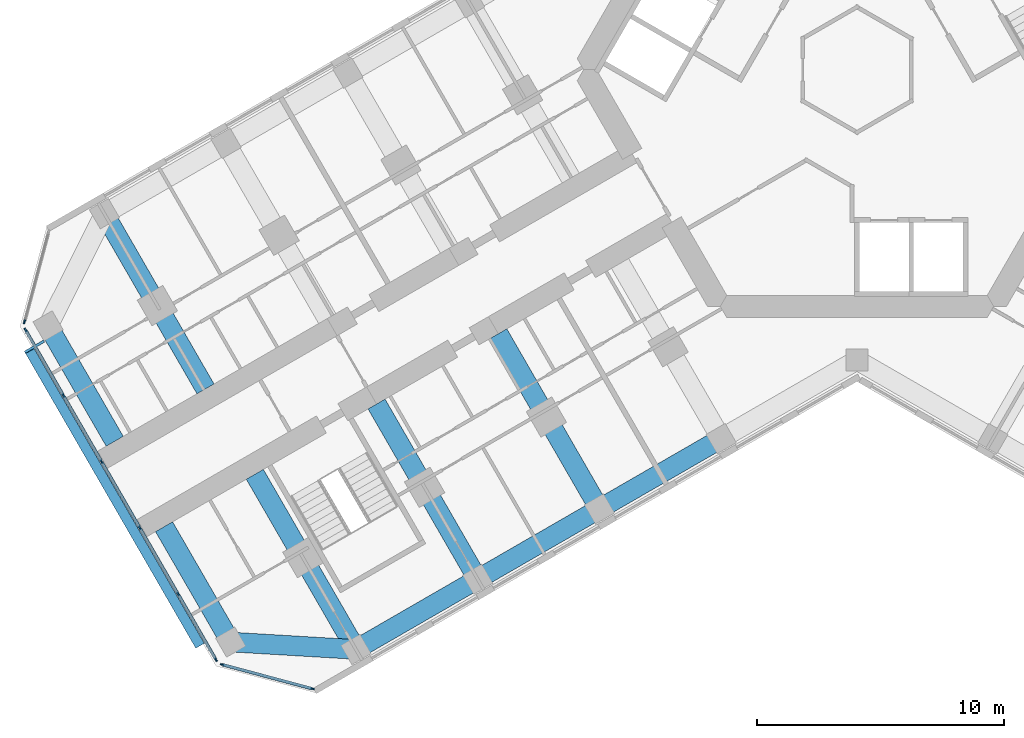
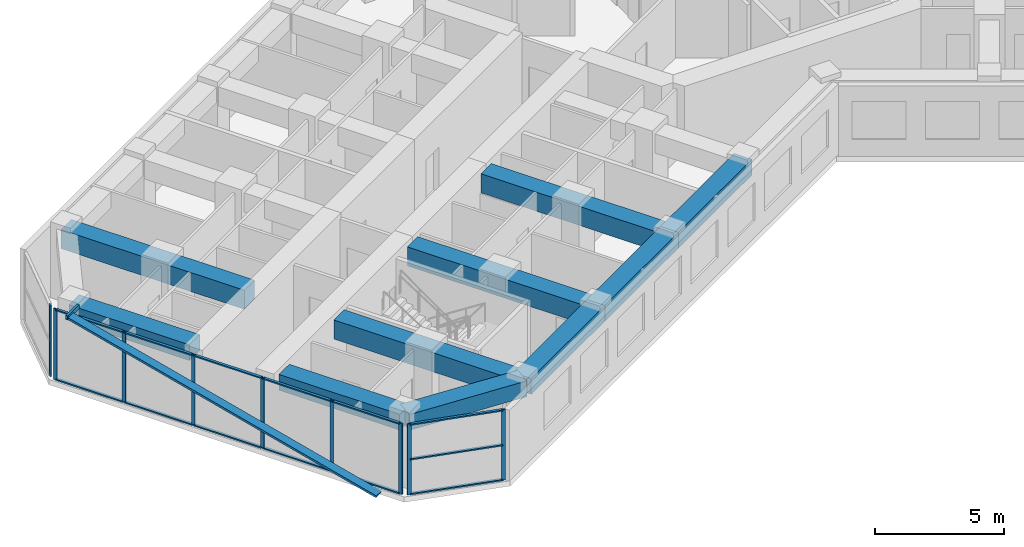
# One storey, part 2 of 20: 24 members, 10 beams, 3 elements without a shape of their own.
"""IFC4 building model written with IfcOpenShell, lengths in metres."""

from ifc_helpers import new_model, si_unit, direction, frame, origin, origin_2d, place, context, subcontext, project, spatial, rectangle, hollow_rectangle, extrude, material, material_profile, profile_set, type_object, element, aggregate, save


model = new_model("IFC4")

# Units and contexts
model_context = context("Model", 3, precision=1e-05, world=origin(), true_north=direction((0.0, 1.0)))
body_context = subcontext(model_context, "Body", "Model", "MODEL_VIEW")
ifc_project = project(units=[si_unit("LENGTHUNIT", "METRE"), si_unit("AREAUNIT", "SQUARE_METRE"), si_unit("VOLUMEUNIT", "CUBIC_METRE"), si_unit("PLANEANGLEUNIT", "RADIAN"), si_unit("MASSUNIT", "GRAM", prefix="KILO")], contexts=[model_context])

# Site, building, storey
site_placement = place(None, origin())
site = spatial("IfcSite", under=ifc_project, at=site_placement, CompositionType="ELEMENT")
building_placement = place(site_placement, origin())
building = spatial("IfcBuilding", under=site, at=building_placement, Name="Kosmar Iwan School Tower", CompositionType="ELEMENT")
storey_placement = place(building_placement, frame((0.0, 0.0, 179.60009765625)))
storey = spatial("IfcBuildingStorey", under=building, at=storey_placement, Name="L45", CompositionType="ELEMENT", Elevation=179.60009765625)

# Members
ifc_material_1 = material(Name="Black anodised aluminium", Category="aluminium")
ifc_material_profile_1 = material_profile(ifc_material_1, rectangle(XDim=0.10009765625, YDim=0.39990234375, at=origin_2d()), Name="FIN 100x400")
ifc_profile_set_1 = profile_set([ifc_material_profile_1], Name="Black anodised aluminium")
member_type_1 = type_object("IfcMemberType", Name="Diagonal fin 100x400", PredefinedType="USERDEFINED", material=ifc_profile_set_1)
member_1_placement = place(storey_placement, frame((-26.645263671875, -23.34912109375, -0.150146484375), z_axis=(-0.483793446988, 0.837970316603, 0.25248692866), x_axis=(0.126241714543, -0.218661104574, 0.96760030532)))
element("IfcMember", 1, at=member_1_placement, inside=storey, type_object=member_type_1, Name="Diagonal fin L45-F13", ObjectType="FIN", PredefinedType="USERDEFINED", context=body_context, shape_type="SweptSolid", body=[
    extrude(rectangle(XDim=0.10009765625, YDim=0.39990234375, at=origin_2d()), origin(), (0.0, 0.0, 1.0), 14.258544921875),
])
ifc_material_2 = material(Name="Steel S355", Category="steel")
ifc_material_profile_2 = material_profile(ifc_material_2, hollow_rectangle(XDim=0.10009765625, YDim=0.199951171875, WallThickness=0.008056640625, at=origin_2d()), Name="RHS 200x100x8")
ifc_profile_set_2 = profile_set([ifc_material_profile_2], Name="Steel S355")
member_type_2 = type_object("IfcMemberType", Name="Fin bracket RHS 200x100", PredefinedType="USERDEFINED", material=ifc_profile_set_2)
member_2_placement = place(storey_placement, frame((-32.963134765625, -11.006103515625, 3.474853515625), z_axis=(-0.866081705922, -0.499902469156, 0.0), x_axis=(0.499902469156, -0.866081705922, 0.0)))
element("IfcMember", 2, at=member_2_placement, inside=storey, type_object=member_type_2, Name="Fin bracket L46", ObjectType="FIN BRACKET", PredefinedType="USERDEFINED", context=body_context, shape_type="SweptSolid", body=[
    extrude(hollow_rectangle(XDim=0.10009765625, YDim=0.199951171875, WallThickness=0.008056640625, at=origin_2d()), origin(), (0.0, 0.0, 1.0), 0.900146484375),
])

# Curtain wall, member
ifc_material_3 = material(Name="Dark glass in black aluminium frame", Category="aluminium")
curtain_wall_type_1 = type_object("IfcCurtainWallType", Name="Chamfer curtain wall dark glass", PredefinedType="USERDEFINED", material=ifc_material_3)
curtain_wall_1_placement = place(storey_placement, origin())
curtain_wall_1 = element("IfcCurtainWall", 3, at=curtain_wall_1_placement, inside=storey, type_object=curtain_wall_type_1, Name="Curtain wall L45-F12", ObjectType="FACETED CURTAIN WALL", PredefinedType="USERDEFINED")
ifc_material_4 = material(Name="Black anodised aluminium", Category="aluminium")
ifc_material_profile_3 = material_profile(ifc_material_4, rectangle(XDim=0.06005859375, YDim=0.159912109375, at=origin_2d()), Name="MULLION 60x160")
ifc_profile_set_3 = profile_set([ifc_material_profile_3], Name="Black anodised aluminium")
member_type_3 = type_object("IfcMemberType", Name="Mullion 60x160", PredefinedType="MULLION", material=ifc_profile_set_3)
member_3_placement = place(storey_placement, frame((-33.7587890625, -10.2236328125, 0.0), z_axis=(0.0, 0.0, 1.0), x_axis=(0.965925875495, -0.258818861462, 0.0)))
member_3 = element("IfcMember", 4, at=member_3_placement, type_object=member_type_3, Name="CW2 mullion 2", PredefinedType="MULLION", context=body_context, shape_type="SweptSolid", body=[
    extrude(rectangle(XDim=0.06005859375, YDim=0.159912109375, at=origin_2d()), origin(), (0.0, 0.0, 1.0), 3.349853515625),
])
aggregate(curtain_wall_1, [member_3])

# Curtain wall, members
ifc_material_5 = material(Name="Dark glass in black aluminium frame", Category="aluminium")
curtain_wall_type_2 = type_object("IfcCurtainWallType", Name="Tower curtain wall dark glass", PredefinedType="USERDEFINED", material=ifc_material_5)
curtain_wall_2_placement = place(storey_placement, origin())
curtain_wall_2 = element("IfcCurtainWall", 5, at=curtain_wall_2_placement, inside=storey, type_object=curtain_wall_type_2, Name="Curtain wall L45-F13", ObjectType="UNITISED CURTAIN WALL", PredefinedType="USERDEFINED")
member_4_placement = place(storey_placement, frame((-33.71533203125, -10.55322265625, 0.0), z_axis=(0.0, 0.0, 1.0), x_axis=(0.866025405329, 0.499999997325, 0.0)))
member_4 = element("IfcMember", 6, at=member_4_placement, type_object=member_type_3, Name="CW1 mullion 1", PredefinedType="MULLION", context=body_context, shape_type="SweptSolid", body=[
    extrude(rectangle(XDim=0.06005859375, YDim=0.159912109375, at=origin_2d()), origin(), (0.0, 0.0, 1.0), 3.349853515625),
])
member_5_placement = place(storey_placement, frame((-32.1806640625, -13.21142578125, 0.0), z_axis=(0.0, 0.0, 1.0), x_axis=(0.866025405329, 0.499999997325, 0.0)))
member_5 = element("IfcMember", 7, at=member_5_placement, type_object=member_type_3, Name="CW1 mullion 2", PredefinedType="MULLION", context=body_context, shape_type="SweptSolid", body=[
    extrude(rectangle(XDim=0.06005859375, YDim=0.159912109375, at=origin_2d()), origin(), (0.0, 0.0, 1.0), 3.349853515625),
])
member_6_placement = place(storey_placement, frame((-30.631103515625, -15.8955078125, 0.0), z_axis=(0.0, 0.0, 1.0), x_axis=(0.866025405329, 0.499999997325, 0.0)))
member_6 = element("IfcMember", 8, at=member_6_placement, type_object=member_type_3, Name="CW1 mullion 3", PredefinedType="MULLION", context=body_context, shape_type="SweptSolid", body=[
    extrude(rectangle(XDim=0.06005859375, YDim=0.159912109375, at=origin_2d()), origin(), (0.0, 0.0, 1.0), 3.349853515625),
])
member_7_placement = place(storey_placement, frame((-29.081298828125, -18.57958984375, 0.0), z_axis=(0.0, 0.0, 1.0), x_axis=(0.866025405329, 0.499999997325, 0.0)))
member_7 = element("IfcMember", 9, at=member_7_placement, type_object=member_type_3, Name="CW1 mullion 4", PredefinedType="MULLION", context=body_context, shape_type="SweptSolid", body=[
    extrude(rectangle(XDim=0.06005859375, YDim=0.159912109375, at=origin_2d()), origin(), (0.0, 0.0, 1.0), 3.349853515625),
])
member_8_placement = place(storey_placement, frame((-27.53173828125, -21.263671875, 0.0), z_axis=(0.0, 0.0, 1.0), x_axis=(0.866025405329, 0.499999997325, 0.0)))
member_8 = element("IfcMember", 10, at=member_8_placement, type_object=member_type_3, Name="CW1 mullion 5", PredefinedType="MULLION", context=body_context, shape_type="SweptSolid", body=[
    extrude(rectangle(XDim=0.06005859375, YDim=0.159912109375, at=origin_2d()), origin(), (0.0, 0.0, 1.0), 3.349853515625),
])
member_9_placement = place(storey_placement, frame((-25.9970703125, -23.921630859375, 0.0), z_axis=(0.0, 0.0, 1.0), x_axis=(0.866025405329, 0.499999997325, 0.0)))
member_9 = element("IfcMember", 11, at=member_9_placement, type_object=member_type_3, Name="CW1 mullion 6", PredefinedType="MULLION", context=body_context, shape_type="SweptSolid", body=[
    extrude(rectangle(XDim=0.06005859375, YDim=0.159912109375, at=origin_2d()), origin(), (0.0, 0.0, 1.0), 3.349853515625),
])

curtain_wall_3_placement = place(storey_placement, origin())
curtain_wall_3 = element("IfcCurtainWall", 12, at=curtain_wall_3_placement, inside=storey, type_object=curtain_wall_type_1, Name="Curtain wall L45-F14", ObjectType="FACETED CURTAIN WALL", PredefinedType="USERDEFINED")
member_10_placement = place(storey_placement, frame((-25.733154296875, -24.124267578125, 0.0), z_axis=(0.0, 0.0, 1.0), x_axis=(0.258818861462, 0.965925875495, 0.0)))
member_10 = element("IfcMember", 13, at=member_10_placement, type_object=member_type_3, Name="CW2 mullion 1", PredefinedType="MULLION", context=body_context, shape_type="SweptSolid", body=[
    extrude(rectangle(XDim=0.06005859375, YDim=0.159912109375, at=origin_2d()), origin(), (0.0, 0.0, 1.0), 3.349853515625),
])
member_11_placement = place(storey_placement, frame((-22.0830078125, -25.102294921875, 0.0), z_axis=(0.0, 0.0, 1.0), x_axis=(0.258818861462, 0.965925875495, 0.0)))
member_11 = element("IfcMember", 14, at=member_11_placement, type_object=member_type_3, Name="CW2 mullion 2", PredefinedType="MULLION", context=body_context, shape_type="SweptSolid", body=[
    extrude(rectangle(XDim=0.06005859375, YDim=0.159912109375, at=origin_2d()), origin(), (0.0, 0.0, 1.0), 3.349853515625),
])

# Beams
ifc_material_6 = material(Name="Concrete C50/60", Category="concrete")
ifc_material_profile_4 = material_profile(ifc_material_6, rectangle(XDim=0.800048828125, YDim=0.75, at=origin_2d()), Name="RC 800x750")
ifc_profile_set_4 = profile_set([ifc_material_profile_4], Name="Concrete C50/60")
beam_type_1 = type_object("IfcBeamType", Name="RC edge beam 800x750", PredefinedType="BEAM", material=ifc_profile_set_4)
beam_1_placement = place(storey_placement, frame((-5.5087890625, -14.95849609375, 2.974853515625), z_axis=(-0.866033658841, -0.49998570155, 0.0), x_axis=(0.49998570155, -0.866033658841, 0.0)))
element("IfcBeam", 15, at=beam_1_placement, inside=storey, type_object=beam_type_1, Name="Edge beam BL2", PredefinedType="BEAM", context=body_context, shape_type="SweptSolid", body=[
    extrude(rectangle(XDim=0.800048828125, YDim=0.75, at=origin_2d()), origin(), (0.0, 0.0, 1.0), 5.699951171875),
])
beam_2_placement = place(storey_placement, frame((-10.445068359375, -17.808349609375, 2.974853515625), z_axis=(-0.866025820012, -0.499999279071, 0.0), x_axis=(0.499999279071, -0.866025820012, 0.0)))
element("IfcBeam", 16, at=beam_2_placement, inside=storey, type_object=beam_type_1, Name="Edge beam BL3", PredefinedType="BEAM", context=body_context, shape_type="SweptSolid", body=[
    extrude(rectangle(XDim=0.800048828125, YDim=0.75, at=origin_2d()), origin(), (0.0, 0.0, 1.0), 5.7001953125),
])
beam_3_placement = place(storey_placement, frame((-15.381591796875, -20.658447265625, 2.974853515625), z_axis=(-0.866015111908, -0.50001782563, 0.0), x_axis=(0.50001782563, -0.866015111908, 0.0)))
element("IfcBeam", 17, at=beam_3_placement, inside=storey, type_object=beam_type_1, Name="Edge beam BL4", PredefinedType="BEAM", context=body_context, shape_type="SweptSolid", body=[
    extrude(rectangle(XDim=0.800048828125, YDim=0.75, at=origin_2d()), origin(), (0.0, 0.0, 1.0), 5.699951171875),
])
ifc_material_7 = material(Name="Concrete C50/60", Category="concrete")
ifc_material_profile_5 = material_profile(ifc_material_7, rectangle(XDim=0.800048828125, YDim=0.75, at=origin_2d()), Name="RC 800x750")
ifc_profile_set_5 = profile_set([ifc_material_profile_5], Name="Concrete C50/60")
beam_type_2 = type_object("IfcBeamType", Name="RC tip beam 800x750", PredefinedType="BEAM", material=ifc_profile_set_5)
beam_4_placement = place(storey_placement, frame((-20.31787109375, -23.508544921875, 2.974853515625), z_axis=(-0.998260616478, 0.058955420358, 0.0), x_axis=(-0.058955420358, -0.998260616478, 0.0)))
element("IfcBeam", 18, at=beam_4_placement, inside=storey, type_object=beam_type_2, Name="Tip beam BL", PredefinedType="BEAM", context=body_context, shape_type="SweptSolid", body=[
    extrude(rectangle(XDim=0.800048828125, YDim=0.75, at=origin_2d()), origin(), (0.0, 0.0, 1.0), 5.08935546875),
])
for number, where, z_axis, x_axis, name in (
    (19, (-25.3984375, -23.20849609375, 2.974853515625), (-0.499995103361, 0.866028230842, 0.0), (-0.866028230842, -0.499995103361, 0.0), "Tip beam BL to corridor wall"),
    (20, (-32.79833984375, -10.391357421875, 2.974853515625), (0.499995103361, -0.866028230842, 0.0), (0.866028230842, 0.499995103361, 0.0), "Tip beam BR to corridor wall"),
):
    element("IfcBeam", number, at=place(storey_placement, frame(where, z_axis=z_axis, x_axis=x_axis)), inside=storey, type_object=beam_type_2, Name=name, PredefinedType="BEAM", context=body_context, shape_type="SweptSolid", body=[
        extrude(rectangle(XDim=0.800048828125, YDim=0.75, at=origin_2d()), origin(), (0.0, 0.0, 1.0), 5.39990234375),
    ])
ifc_material_8 = material(Name="Concrete C50/60", Category="concrete")
ifc_material_profile_6 = material_profile(ifc_material_8, rectangle(XDim=0.800048828125, YDim=0.89990234375, at=origin_2d()), Name="RC 800x900")
ifc_profile_set_6 = profile_set([ifc_material_profile_6], Name="Concrete C50/60")
beam_type_3 = type_object("IfcBeamType", Name="RC transverse beam 800x900", PredefinedType="BEAM", material=ifc_profile_set_6)
for number, where, z_axis, x_axis, name in (
    (21, (-10.445068359375, -17.808349609375, 2.89990234375), (-0.500013681986, 0.866017504342, 0.0), (-0.866017504342, -0.500013681986, 0.0), "Transverse beam BL2"),
    (22, (-15.381591796875, -20.658447265625, 2.89990234375), (-0.49999135188, 0.866030396721, 0.0), (-0.866030396721, -0.49999135188, 0.0), "Transverse beam BL3"),
    (23, (-20.31787109375, -23.508544921875, 2.89990234375), (-0.499978459874, 0.866037839625, 0.0), (-0.866037839625, -0.499978459874, 0.0), "Transverse beam BL4"),
    (24, (-30.517822265625, -5.841552734375, 2.89990234375), (0.500013681986, -0.866017504342, 0.0), (0.866017504342, 0.500013681986, 0.0), "Transverse beam BR4"),
):
    element("IfcBeam", number, at=place(storey_placement, frame(where, z_axis=z_axis, x_axis=x_axis)), inside=storey, type_object=beam_type_3, Name=name, PredefinedType="BEAM", context=body_context, shape_type="SweptSolid", body=[
        extrude(rectangle(XDim=0.800048828125, YDim=0.89990234375, at=origin_2d()), origin(), (0.0, 0.0, 1.0), 8.199951171875),
    ])

# Member
ifc_material_9 = material(Name="Black anodised aluminium", Category="aluminium")
ifc_material_profile_7 = material_profile(ifc_material_9, rectangle(XDim=0.1201171875, YDim=0.06005859375, at=origin_2d()), Name="TRANSOM 60x120")
ifc_profile_set_7 = profile_set([ifc_material_profile_7], Name="Black anodised aluminium")
member_type_4 = type_object("IfcMemberType", Name="Transom 60x120", PredefinedType="USERDEFINED", material=ifc_profile_set_7)
member_12_placement = place(storey_placement, frame((-33.700439453125, -10.579345703125, 0.02978515625), z_axis=(0.500022102064, -0.866012642776, 0.0), x_axis=(0.866012642776, 0.500022102064, 0.0)))
member_12 = element("IfcMember", 25, at=member_12_placement, type_object=member_type_4, Name="CW1 transom 1.1", ObjectType="TRANSOM", PredefinedType="USERDEFINED", context=body_context, shape_type="SweptSolid", body=[
    extrude(rectangle(XDim=0.1201171875, YDim=0.06005859375, at=origin_2d()), origin(), (0.0, 0.0, 1.0), 3.009033203125),
])

member_13_placement = place(storey_placement, frame((-33.700439453125, -10.579345703125, 3.31982421875), z_axis=(0.500022102064, -0.866012642776, 0.0), x_axis=(0.866012642776, 0.500022102064, 0.0)))
member_13 = element("IfcMember", 26, at=member_13_placement, type_object=member_type_4, Name="CW1 transom 1.2", ObjectType="TRANSOM", PredefinedType="USERDEFINED", context=body_context, shape_type="SweptSolid", body=[
    extrude(rectangle(XDim=0.1201171875, YDim=0.06005859375, at=origin_2d()), origin(), (0.0, 0.0, 1.0), 3.009033203125),
])

member_14_placement = place(storey_placement, frame((-32.165771484375, -13.2373046875, 0.02978515625), z_axis=(0.500035348339, -0.866004994449, 0.0), x_axis=(0.866004994449, 0.500035348339, 0.0)))
member_14 = element("IfcMember", 27, at=member_14_placement, type_object=member_type_4, Name="CW1 transom 2.1", ObjectType="TRANSOM", PredefinedType="USERDEFINED", context=body_context, shape_type="SweptSolid", body=[
    extrude(rectangle(XDim=0.1201171875, YDim=0.06005859375, at=origin_2d()), origin(), (0.0, 0.0, 1.0), 3.039306640625),
])

member_15_placement = place(storey_placement, frame((-32.165771484375, -13.2373046875, 3.31982421875), z_axis=(0.500035348339, -0.866004994449, 0.0), x_axis=(0.866004994449, 0.500035348339, 0.0)))
member_15 = element("IfcMember", 28, at=member_15_placement, type_object=member_type_4, Name="CW1 transom 2.2", ObjectType="TRANSOM", PredefinedType="USERDEFINED", context=body_context, shape_type="SweptSolid", body=[
    extrude(rectangle(XDim=0.1201171875, YDim=0.06005859375, at=origin_2d()), origin(), (0.0, 0.0, 1.0), 3.039306640625),
])

member_16_placement = place(storey_placement, frame((-30.615966796875, -15.92138671875, 0.02978515625), z_axis=(0.499975102327, -0.866039777986, 0.0), x_axis=(0.866039777986, 0.499975102327, 0.0)))
member_16 = element("IfcMember", 29, at=member_16_placement, type_object=member_type_4, Name="CW1 transom 3.1", ObjectType="TRANSOM", PredefinedType="USERDEFINED", context=body_context, shape_type="SweptSolid", body=[
    extrude(rectangle(XDim=0.1201171875, YDim=0.06005859375, at=origin_2d()), origin(), (0.0, 0.0, 1.0), 3.039306640625),
])

member_17_placement = place(storey_placement, frame((-30.615966796875, -15.92138671875, 3.31982421875), z_axis=(0.499975102327, -0.866039777986, 0.0), x_axis=(0.866039777986, 0.499975102327, 0.0)))
member_17 = element("IfcMember", 30, at=member_17_placement, type_object=member_type_4, Name="CW1 transom 3.2", ObjectType="TRANSOM", PredefinedType="USERDEFINED", context=body_context, shape_type="SweptSolid", body=[
    extrude(rectangle(XDim=0.1201171875, YDim=0.06005859375, at=origin_2d()), origin(), (0.0, 0.0, 1.0), 3.039306640625),
])

member_18_placement = place(storey_placement, frame((-29.06640625, -18.60546875, 0.02978515625), z_axis=(0.499975102327, -0.866039777986, 0.0), x_axis=(0.866039777986, 0.499975102327, 0.0)))
member_18 = element("IfcMember", 31, at=member_18_placement, type_object=member_type_4, Name="CW1 transom 4.1", ObjectType="TRANSOM", PredefinedType="USERDEFINED", context=body_context, shape_type="SweptSolid", body=[
    extrude(rectangle(XDim=0.1201171875, YDim=0.06005859375, at=origin_2d()), origin(), (0.0, 0.0, 1.0), 3.039306640625),
])

member_19_placement = place(storey_placement, frame((-29.06640625, -18.60546875, 3.31982421875), z_axis=(0.499975102327, -0.866039777986, 0.0), x_axis=(0.866039777986, 0.499975102327, 0.0)))
member_19 = element("IfcMember", 32, at=member_19_placement, type_object=member_type_4, Name="CW1 transom 4.2", ObjectType="TRANSOM", PredefinedType="USERDEFINED", context=body_context, shape_type="SweptSolid", body=[
    extrude(rectangle(XDim=0.1201171875, YDim=0.06005859375, at=origin_2d()), origin(), (0.0, 0.0, 1.0), 3.039306640625),
])

member_20_placement = place(storey_placement, frame((-27.516845703125, -21.28955078125, 0.02978515625), z_axis=(0.499986971506, -0.866032925658, 0.0), x_axis=(0.866032925658, 0.499986971506, 0.0)))
member_20 = element("IfcMember", 33, at=member_20_placement, type_object=member_type_4, Name="CW1 transom 5.1", ObjectType="TRANSOM", PredefinedType="USERDEFINED", context=body_context, shape_type="SweptSolid", body=[
    extrude(rectangle(XDim=0.1201171875, YDim=0.06005859375, at=origin_2d()), origin(), (0.0, 0.0, 1.0), 3.00927734375),
])

member_21_placement = place(storey_placement, frame((-27.516845703125, -21.28955078125, 3.31982421875), z_axis=(0.499986971506, -0.866032925658, 0.0), x_axis=(0.866032925658, 0.499986971506, 0.0)))
member_21 = element("IfcMember", 34, at=member_21_placement, type_object=member_type_4, Name="CW1 transom 5.2", ObjectType="TRANSOM", PredefinedType="USERDEFINED", context=body_context, shape_type="SweptSolid", body=[
    extrude(rectangle(XDim=0.1201171875, YDim=0.06005859375, at=origin_2d()), origin(), (0.0, 0.0, 1.0), 3.00927734375),
])

aggregate(curtain_wall_2, [member_4, member_5, member_6, member_7, member_8, member_9, member_12, member_13, member_14, member_15, member_16, member_17, member_18, member_19, member_20, member_21])

member_22_placement = place(storey_placement, frame((-25.704345703125, -24.1318359375, 0.02978515625), z_axis=(0.965923731726, -0.258826861991, 0.0), x_axis=(0.258826861991, 0.965923731726, 0.0)))
member_22 = element("IfcMember", 35, at=member_22_placement, type_object=member_type_4, Name="CW2 transom 1.1", ObjectType="TRANSOM", PredefinedType="USERDEFINED", context=body_context, shape_type="SweptSolid", body=[
    extrude(rectangle(XDim=0.1201171875, YDim=0.06005859375, at=origin_2d()), origin(), (0.0, 0.0, 1.0), 3.71923828125),
])

member_23_placement = place(storey_placement, frame((-25.704345703125, -24.1318359375, 1.6748046875), z_axis=(0.965923731726, -0.258826861991, 0.0), x_axis=(0.258826861991, 0.965923731726, 0.0)))
member_23 = element("IfcMember", 36, at=member_23_placement, type_object=member_type_4, Name="CW2 transom 1.2", ObjectType="TRANSOM", PredefinedType="USERDEFINED", context=body_context, shape_type="SweptSolid", body=[
    extrude(rectangle(XDim=0.1201171875, YDim=0.06005859375, at=origin_2d()), origin(), (0.0, 0.0, 1.0), 3.71923828125),
])

member_24_placement = place(storey_placement, frame((-25.704345703125, -24.1318359375, 3.31982421875), z_axis=(0.965923731726, -0.258826861991, 0.0), x_axis=(0.258826861991, 0.965923731726, 0.0)))
member_24 = element("IfcMember", 37, at=member_24_placement, type_object=member_type_4, Name="CW2 transom 1.3", ObjectType="TRANSOM", PredefinedType="USERDEFINED", context=body_context, shape_type="SweptSolid", body=[
    extrude(rectangle(XDim=0.1201171875, YDim=0.06005859375, at=origin_2d()), origin(), (0.0, 0.0, 1.0), 3.71923828125),
])

aggregate(curtain_wall_3, [member_10, member_11, member_22, member_23, member_24])

save(model, "model.ifc")
